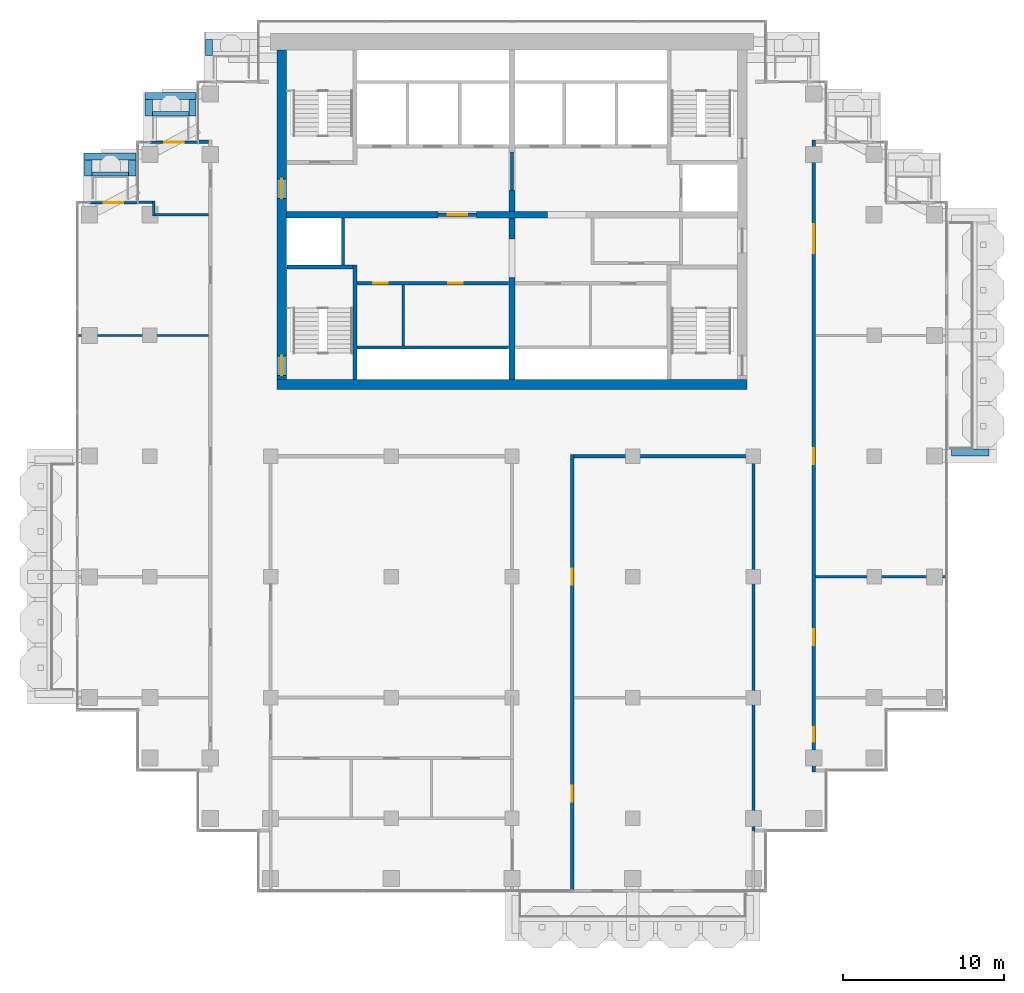
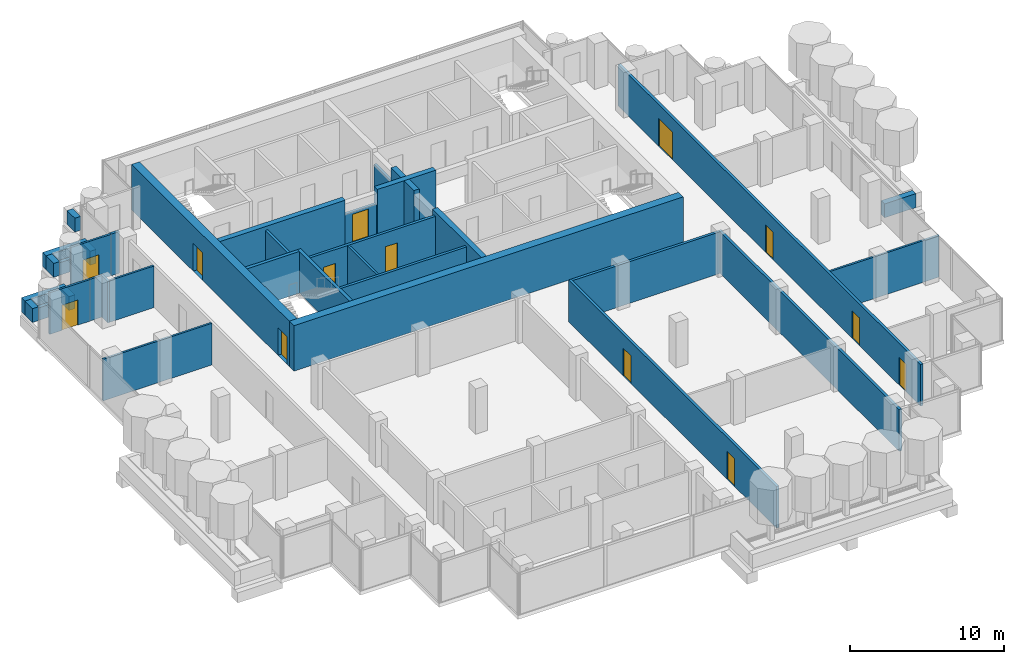
# One storey, part 12 of 18: 37 walls, 13 doors, 13 openings.
"""IFC4 building model written with IfcOpenShell, lengths in metres."""

from ifc_helpers import new_model, si_unit, direction, frame, frame_2d, origin, place, context, subcontext, project, spatial, rectangle, extrude, material, layer, layer_set, type_object, element, fill, save


model = new_model("IFC4")

# Units and contexts
model_context = context("Model", 3, precision=1e-05, world=origin(), true_north=direction((0.0, 1.0)))
body_context = subcontext(model_context, "Body", "Model", "MODEL_VIEW")
ifc_project = project(units=[si_unit("LENGTHUNIT", "METRE"), si_unit("AREAUNIT", "SQUARE_METRE"), si_unit("VOLUMEUNIT", "CUBIC_METRE"), si_unit("PLANEANGLEUNIT", "RADIAN"), si_unit("MASSUNIT", "GRAM", prefix="KILO")], contexts=[model_context])

# Site, building, storey
site_placement = place(None, origin())
site = spatial("IfcSite", under=ifc_project, at=site_placement, CompositionType="ELEMENT")
building_placement = place(site_placement, origin())
building = spatial("IfcBuilding", under=site, at=building_placement, Name="Pilkhan Gate Tower", CompositionType="ELEMENT")
storey_placement = place(building_placement, frame((0.0, 0.0, 210.300048828125)))
storey = spatial("IfcBuildingStorey", under=building, at=storey_placement, Name="L54", CompositionType="ELEMENT", Elevation=210.300048828125)

# Walls
ifc_material_1 = material(Name="Concrete C40/50", Category="concrete")
ifc_layer_1 = layer(ifc_material_1, 0.25)
ifc_layer_set_1 = layer_set([ifc_layer_1], Name="Balcony planter BP250")
wall_type_1 = type_object("IfcWallType", Name="Balcony planter BP250", PredefinedType="USERDEFINED", material=ifc_layer_set_1)
for number, where, z_axis, x_axis, name in (
    (1, (52.64990234375, 88.77490234375, 0.0), (0.0, 0.0, 1.0), (1.0, 0.0, 0.0), "Balcony planter L54 N"),
    (2, (48.89990234375, 85.02490234375, 0.0), (0.0, 0.0, 1.0), (1.0, 0.0, 0.0), "Balcony planter L54 N"),
):
    element("IfcWall", number, at=place(storey_placement, frame(where, z_axis=z_axis, x_axis=x_axis)), inside=storey, type_object=wall_type_1, Name=name, ObjectType="BALCONY PLANTER", PredefinedType="USERDEFINED", context=body_context, shape_type="SweptSolid", body=[
        extrude(rectangle(XDim=2.280029296875, YDim=0.25, at=frame_2d((1.14013671875, 0.0))), origin(), (0.0, 0.0, 1.0), 1.0),
    ])
ifc_material_2 = material(Name="Board-marked Concrete C40/50", Category="concrete")
ifc_layer_2 = layer(ifc_material_2, 0.449951171875)
ifc_layer_set_2 = layer_set([ifc_layer_2], Name="Balcony planter lip BL450")
wall_type_2 = type_object("IfcWallType", Name="Balcony planter lip BL450", PredefinedType="USERDEFINED", material=ifc_layer_set_2)
wall_1_placement = place(storey_placement, frame((102.300048828125, 67.72509765625, 0.0), z_axis=(0.0, 0.0, 1.0), x_axis=(1.0, 0.0, 0.0)))
element("IfcWall", 3, at=wall_1_placement, inside=storey, type_object=wall_type_2, Name="Balcony planter L54 E", ObjectType="BALCONY PLANTER", PredefinedType="USERDEFINED", context=body_context, shape_type="SweptSolid", body=[
    extrude(rectangle(XDim=2.349853515625, YDim=0.449951171875, at=frame_2d((1.1748046875, 0.0))), origin(), (0.0, 0.0, 1.0), 1.099853515625),
])
wall_2_placement = place(storey_placement, frame((56.175048828125, 92.39990234375, 0.0), z_axis=(0.0, 0.0, 1.0), x_axis=(0.0, 1.0, 0.0)))
element("IfcWall", 4, at=wall_2_placement, inside=storey, type_object=wall_type_2, Name="Balcony planter L54 N", ObjectType="BALCONY PLANTER", PredefinedType="USERDEFINED", context=body_context, shape_type="SweptSolid", body=[
    extrude(rectangle(XDim=1.0, YDim=0.449951171875, at=frame_2d((0.5, 0.0))), origin(), (0.0, 0.0, 1.0), 1.099853515625),
])
wall_3_placement = place(storey_placement, frame((52.199951171875, 89.875, 0.0), z_axis=(0.0, 0.0, 1.0), x_axis=(1.0, 0.0, 0.0)))
element("IfcWall", 5, at=wall_3_placement, inside=storey, type_object=wall_type_2, Name="Balcony planter L54 N", ObjectType="BALCONY PLANTER", PredefinedType="USERDEFINED", context=body_context, shape_type="SweptSolid", body=[
    extrude(rectangle(XDim=3.179931640625, YDim=0.449951171875, at=frame_2d((1.58984375, 0.0))), origin(), (0.0, 0.0, 1.0), 1.099853515625),
])
for number, where, z_axis, x_axis, name in (
    (6, (52.425048828125, 88.64990234375, 0.0), (0.0, 0.0, 1.0), (0.0, 1.0, 0.0), "Balcony planter L54 N"),
    (7, (55.155029296875, 88.64990234375, 0.0), (0.0, 0.0, 1.0), (0.0, 1.0, 0.0), "Balcony planter L54 N"),
):
    element("IfcWall", number, at=place(storey_placement, frame(where, z_axis=z_axis, x_axis=x_axis)), inside=storey, type_object=wall_type_2, Name=name, ObjectType="BALCONY PLANTER", PredefinedType="USERDEFINED", context=body_context, shape_type="SweptSolid", body=[
        extrude(rectangle(XDim=1.0, YDim=0.449951171875, at=frame_2d((0.5, 0.0))), origin(), (0.0, 0.0, 1.0), 1.099853515625),
    ])
wall_4_placement = place(storey_placement, frame((48.449951171875, 86.125, 0.0), z_axis=(0.0, 0.0, 1.0), x_axis=(1.0, 0.0, 0.0)))
element("IfcWall", 8, at=wall_4_placement, inside=storey, type_object=wall_type_2, Name="Balcony planter L54 N", ObjectType="BALCONY PLANTER", PredefinedType="USERDEFINED", context=body_context, shape_type="SweptSolid", body=[
    extrude(rectangle(XDim=3.179931640625, YDim=0.449951171875, at=frame_2d((1.58984375, 0.0))), origin(), (0.0, 0.0, 1.0), 1.099853515625),
])
for number, where, z_axis, x_axis, name in (
    (9, (48.675048828125, 84.89990234375, 0.0), (0.0, 0.0, 1.0), (0.0, 1.0, 0.0), "Balcony planter L54 N"),
    (10, (51.405029296875, 84.89990234375, 0.0), (0.0, 0.0, 1.0), (0.0, 1.0, 0.0), "Balcony planter L54 N"),
):
    element("IfcWall", number, at=place(storey_placement, frame(where, z_axis=z_axis, x_axis=x_axis)), inside=storey, type_object=wall_type_2, Name=name, ObjectType="BALCONY PLANTER", PredefinedType="USERDEFINED", context=body_context, shape_type="SweptSolid", body=[
        extrude(rectangle(XDim=1.0, YDim=0.449951171875, at=frame_2d((0.5, 0.0))), origin(), (0.0, 0.0, 1.0), 1.099853515625),
    ])
ifc_material_3 = material(Name="Concrete C50/60", Category="concrete")
ifc_layer_3 = layer(ifc_material_3, 0.60009765625)
ifc_layer_set_3 = layer_set([ifc_layer_3], Name="Core wall CW600 C50/60")
wall_type_3 = type_object("IfcWallType", Name="Core wall CW600 C50/60", PredefinedType="SHEAR", material=ifc_layer_set_3)
wall_5_placement = place(storey_placement, frame((60.39990234375, 71.949951171875, 0.0), z_axis=(0.0, 0.0, 1.0), x_axis=(1.0, 0.0, 0.0)))
element("IfcWall", 11, at=wall_5_placement, inside=storey, type_object=wall_type_3, Name="Core wall S L54", PredefinedType="SHEAR", context=body_context, shape_type="SweptSolid", body=[
    extrude(rectangle(XDim=29.2001953125, YDim=0.60009765625, at=frame_2d((14.60009765625, 0.0))), origin(), (0.0, 0.0, 1.0), 3.599853515625),
])

# Wall, openings, doors
wall_6_placement = place(storey_placement, frame((60.699951171875, 92.75, 0.0), z_axis=(0.0, 0.0, 1.0), x_axis=(0.0, -1.0, 0.0)))
wall_6 = element("IfcWall", 12, at=wall_6_placement, inside=storey, type_object=wall_type_3, Name="Core wall W L54", PredefinedType="SHEAR", context=body_context, shape_type="SweptSolid", body=[
    extrude(rectangle(XDim=20.5, YDim=0.60009765625, at=frame_2d((10.25, 0.0))), origin(), (0.0, 0.0, 1.0), 3.599853515625),
])
opening_1_placement = place(wall_6_placement, frame((19.02490234375, 0.0, 0.0)))
opening_1 = element("IfcOpeningElement", 13, at=opening_1_placement, cuts=wall_6, Name="Opening L54-04", PredefinedType="OPENING", context=body_context, shape_type="SweptSolid", body=[
    extrude(rectangle(XDim=1.199951171875, YDim=2.199951171875, at=frame_2d((0.60009765625, 1.10009765625))), frame((0.0, 0.31005859375, 0.0), z_axis=(0.0, -1.0, 0.0), x_axis=(1.0, 0.0, 0.0)), (0.0, 0.0, 1.0), 0.6201171875),
])
opening_2_placement = place(wall_6_placement, frame((8.02490234375, 0.0, 0.0)))
opening_2 = element("IfcOpeningElement", 14, at=opening_2_placement, cuts=wall_6, Name="Opening L54-08", PredefinedType="OPENING", context=body_context, shape_type="SweptSolid", body=[
    extrude(rectangle(XDim=1.199951171875, YDim=2.199951171875, at=frame_2d((0.60009765625, 1.10009765625))), frame((0.0, 0.31005859375, 0.0), z_axis=(0.0, -1.0, 0.0), x_axis=(1.0, 0.0, 0.0)), (0.0, 0.0, 1.0), 0.6201171875),
])
ifc_material_4 = material(Name="Steel door, 120 minute fire resisting, self-closing", Category="steel")
door_type_1 = type_object("IfcDoorType", Name="Firefighting lobby door D10 1200x2200", OperationType="SINGLE_SWING_LEFT", PredefinedType="DOOR", material=ifc_material_4)
door_1_placement = place(opening_2_placement, origin())
door_1 = element("IfcDoor", 15, at=door_1_placement, inside=storey, type_object=door_type_1, Name="Core door", OperationType="SINGLE_SWING_LEFT", OverallHeight=2.199951171875, OverallWidth=1.199951171875, PredefinedType="DOOR", context=body_context, shape_type="SweptSolid", body=[
    extrude(rectangle(XDim=1.199951171875, YDim=2.199951171875, at=frame_2d((0.60009765625, 1.10009765625))), frame((0.0, 0.02490234375, 0.0), z_axis=(0.0, -1.0, 0.0), x_axis=(1.0, 0.0, 0.0)), (0.0, 0.0, 1.0), 0.050048828125),
])
fill(opening_2, door_1)
ifc_material_5 = material(Name="Steel door, 120 minute fire resisting, panic bar", Category="steel")
door_type_2 = type_object("IfcDoorType", Name="Stair door D11 1200x2200", OperationType="SINGLE_SWING_LEFT", PredefinedType="DOOR", material=ifc_material_5)
door_2_placement = place(opening_1_placement, origin())
door_2 = element("IfcDoor", 16, at=door_2_placement, inside=storey, type_object=door_type_2, Name="Stair ST2 door", OperationType="SINGLE_SWING_LEFT", OverallHeight=2.199951171875, OverallWidth=1.199951171875, PredefinedType="DOOR", context=body_context, shape_type="SweptSolid", body=[
    extrude(rectangle(XDim=1.199951171875, YDim=2.199951171875, at=frame_2d((0.60009765625, 1.10009765625))), frame((0.0, 0.02490234375, 0.0), z_axis=(0.0, -1.0, 0.0), x_axis=(1.0, 0.0, 0.0)), (0.0, 0.0, 1.0), 0.050048828125),
])
fill(opening_1, door_2)

# Walls
ifc_material_6 = material(Name="Dense blockwork", Category="masonry")
ifc_layer_4 = layer(ifc_material_6, 0.199951171875)
ifc_layer_set_4 = layer_set([ifc_layer_4], Name="Corridor wall FW200")
wall_type_4 = type_object("IfcWallType", Name="Corridor wall FW200", PredefinedType="PARTITIONING", material=ifc_layer_set_4)
wall_7_placement = place(storey_placement, frame((78.85009765625, 67.5, 0.0), z_axis=(0.0, 0.0, 1.0), x_axis=(1.0, 0.0, 0.0)))
element("IfcWall", 17, at=wall_7_placement, inside=storey, type_object=wall_type_4, Name="Partition L54", PredefinedType="PARTITIONING", context=body_context, shape_type="SweptSolid", body=[
    extrude(rectangle(XDim=11.0498046875, YDim=0.199951171875, at=frame_2d((5.52490234375, 0.0))), origin(), (0.0, 0.0, 1.0), 3.300048828125),
])
wall_8_placement = place(storey_placement, frame((55.510009765625, 87.030029296875, 0.0), z_axis=(0.0, 0.0, 1.0), x_axis=(1.0, 0.0, 0.0)))
element("IfcWall", 18, at=wall_8_placement, inside=storey, type_object=wall_type_4, Name="Partition L54", PredefinedType="PARTITIONING", context=body_context, shape_type="SweptSolid", body=[
    extrude(rectangle(XDim=0.639892578125, YDim=0.199951171875, at=frame_2d((0.31982421875, 0.0))), origin(), (0.0, 0.0, 1.0), 3.300048828125),
])

# Wall, openings, doors
wall_9_placement = place(storey_placement, frame((78.75, 40.5849609375, 0.0), z_axis=(0.0, 0.0, 1.0), x_axis=(0.0, 1.0, 0.0)))
wall_9 = element("IfcWall", 19, at=wall_9_placement, inside=storey, type_object=wall_type_4, Name="Partition L54", PredefinedType="PARTITIONING", context=body_context, shape_type="SweptSolid", body=[
    extrude(rectangle(XDim=27.01513671875, YDim=0.199951171875, at=frame_2d((13.507568359375, 0.0))), origin(), (0.0, 0.0, 1.0), 3.300048828125),
])
opening_3_placement = place(wall_9_placement, frame((5.449951171875, 0.0, 0.0)))
opening_3 = element("IfcOpeningElement", 20, at=opening_3_placement, cuts=wall_9, Name="Opening L54-19", PredefinedType="OPENING", context=body_context, shape_type="SweptSolid", body=[
    extrude(rectangle(XDim=1.0, YDim=2.199951171875, at=frame_2d((0.5, 1.10009765625))), frame((0.0, 0.10986328125, 0.0), z_axis=(0.0, -1.0, 0.0), x_axis=(1.0, 0.0, 0.0)), (0.0, 0.0, 1.0), 0.219970703125),
])
opening_4_placement = place(wall_9_placement, frame((18.9150390625, 0.0, 0.0)))
opening_4 = element("IfcOpeningElement", 21, at=opening_4_placement, cuts=wall_9, Name="Opening L54-20", PredefinedType="OPENING", context=body_context, shape_type="SweptSolid", body=[
    extrude(rectangle(XDim=1.0, YDim=2.199951171875, at=frame_2d((0.5, 1.10009765625))), frame((0.0, 0.10986328125, 0.0), z_axis=(0.0, -1.0, 0.0), x_axis=(1.0, 0.0, 0.0)), (0.0, 0.0, 1.0), 0.219970703125),
])
ifc_material_7 = material(Name="Timber flush door, 30 minute fire resisting", Category="wood")
door_type_3 = type_object("IfcDoorType", Name="Room door D03 1000x2200", OperationType="SINGLE_SWING_LEFT", PredefinedType="DOOR", material=ifc_material_7)
door_3_placement = place(opening_3_placement, origin())
door_3 = element("IfcDoor", 22, at=door_3_placement, inside=storey, type_object=door_type_3, Name="Room door", OperationType="SINGLE_SWING_RIGHT", OverallHeight=2.199951171875, OverallWidth=1.0, PredefinedType="DOOR", context=body_context, shape_type="SweptSolid", body=[
    extrude(rectangle(XDim=1.0, YDim=2.199951171875, at=frame_2d((0.5, 1.10009765625))), frame((0.0, 0.02490234375, 0.0), z_axis=(0.0, -1.0, 0.0), x_axis=(1.0, 0.0, 0.0)), (0.0, 0.0, 1.0), 0.050048828125),
])
fill(opening_3, door_3)
door_4_placement = place(opening_4_placement, origin())
door_4 = element("IfcDoor", 23, at=door_4_placement, inside=storey, type_object=door_type_3, Name="Room door", OperationType="SINGLE_SWING_LEFT", OverallHeight=2.199951171875, OverallWidth=1.0, PredefinedType="DOOR", context=body_context, shape_type="SweptSolid", body=[
    extrude(rectangle(XDim=1.0, YDim=2.199951171875, at=frame_2d((0.5, 1.10009765625))), frame((0.0, 0.02490234375, 0.0), z_axis=(0.0, -1.0, 0.0), x_axis=(1.0, 0.0, 0.0)), (0.0, 0.0, 1.0), 0.050048828125),
])
fill(opening_4, door_4)

# Wall
wall_10_placement = place(storey_placement, frame((90.0, 44.135009765625, 0.0), z_axis=(0.0, 0.0, 1.0), x_axis=(0.0, 1.0, 0.0)))
element("IfcWall", 24, at=wall_10_placement, inside=storey, type_object=wall_type_4, Name="Partition L54", PredefinedType="PARTITIONING", context=body_context, shape_type="SweptSolid", body=[
    extrude(rectangle(XDim=23.465087890625, YDim=0.199951171875, at=frame_2d((11.732421875, 0.0))), origin(), (0.0, 0.0, 1.0), 3.300048828125),
])

# Wall, openings, doors
wall_11_placement = place(storey_placement, frame((93.75, 47.8701171875, 0.0), z_axis=(0.0, 0.0, 1.0), x_axis=(0.0, 1.0, 0.0)))
wall_11 = element("IfcWall", 25, at=wall_11_placement, inside=storey, type_object=wall_type_4, Name="Partition L54", PredefinedType="PARTITIONING", context=body_context, shape_type="SweptSolid", body=[
    extrude(rectangle(XDim=39.259765625, YDim=0.199951171875, at=frame_2d((19.6298828125, 0.0))), origin(), (0.0, 0.0, 1.0), 3.300048828125),
])
opening_5_placement = place(wall_11_placement, frame((1.89990234375, 0.0, 0.0)))
opening_5 = element("IfcOpeningElement", 26, at=opening_5_placement, cuts=wall_11, Name="Opening L54-24", PredefinedType="OPENING", context=body_context, shape_type="SweptSolid", body=[
    extrude(rectangle(XDim=0.89990234375, YDim=2.199951171875, at=frame_2d((0.449951171875, 1.10009765625))), frame((0.0, 0.10986328125, 0.0), z_axis=(0.0, -1.0, 0.0), x_axis=(1.0, 0.0, 0.0)), (0.0, 0.0, 1.0), 0.219970703125),
])
opening_6_placement = place(wall_11_placement, frame((7.8798828125, 0.0, 0.0)))
opening_6 = element("IfcOpeningElement", 27, at=opening_6_placement, cuts=wall_11, Name="Opening L54-25", PredefinedType="OPENING", context=body_context, shape_type="SweptSolid", body=[
    extrude(rectangle(XDim=1.0, YDim=2.199951171875, at=frame_2d((0.5, 1.10009765625))), frame((0.0, 0.10986328125, 0.0), z_axis=(0.0, -1.0, 0.0), x_axis=(1.0, 0.0, 0.0)), (0.0, 0.0, 1.0), 0.219970703125),
])
opening_7_placement = place(wall_11_placement, frame((19.1298828125, 0.0, 0.0)))
opening_7 = element("IfcOpeningElement", 28, at=opening_7_placement, cuts=wall_11, Name="Opening L54-26", PredefinedType="OPENING", context=body_context, shape_type="SweptSolid", body=[
    extrude(rectangle(XDim=1.0, YDim=2.199951171875, at=frame_2d((0.5, 1.10009765625))), frame((0.0, 0.10986328125, 0.0), z_axis=(0.0, -1.0, 0.0), x_axis=(1.0, 0.0, 0.0)), (0.0, 0.0, 1.0), 0.219970703125),
])
opening_8_placement = place(wall_11_placement, frame((32.22998046875, 0.0, 0.0)))
opening_8 = element("IfcOpeningElement", 29, at=opening_8_placement, cuts=wall_11, Name="Opening L54-29", PredefinedType="OPENING", context=body_context, shape_type="SweptSolid", body=[
    extrude(rectangle(XDim=1.800048828125, YDim=2.199951171875, at=frame_2d((0.89990234375, 1.10009765625))), frame((0.0, 0.10986328125, 0.0), z_axis=(0.0, -1.0, 0.0), x_axis=(1.0, 0.0, 0.0)), (0.0, 0.0, 1.0), 0.219970703125),
])
ifc_material_8 = material(Name="Timber glazed double door, 30 minute fire resisting", Category="wood")
door_type_4 = type_object("IfcDoorType", Name="Double door D04 1800x2200", OperationType="DOUBLE_DOOR_SINGLE_SWING", PredefinedType="DOOR", material=ifc_material_8)
door_5_placement = place(opening_8_placement, origin())
door_5 = element("IfcDoor", 30, at=door_5_placement, inside=storey, type_object=door_type_4, Name="Double door", OperationType="DOUBLE_DOOR_SINGLE_SWING", OverallHeight=2.199951171875, OverallWidth=1.800048828125, PredefinedType="DOOR", context=body_context, shape_type="SweptSolid", body=[
    extrude(rectangle(XDim=1.800048828125, YDim=2.199951171875, at=frame_2d((0.89990234375, 1.10009765625))), frame((0.0, 0.02490234375, 0.0), z_axis=(0.0, -1.0, 0.0), x_axis=(1.0, 0.0, 0.0)), (0.0, 0.0, 1.0), 0.050048828125),
])
fill(opening_8, door_5)
door_6_placement = place(opening_6_placement, origin())
door_6 = element("IfcDoor", 31, at=door_6_placement, inside=storey, type_object=door_type_3, Name="Room door", OperationType="SINGLE_SWING_LEFT", OverallHeight=2.199951171875, OverallWidth=1.0, PredefinedType="DOOR", context=body_context, shape_type="SweptSolid", body=[
    extrude(rectangle(XDim=1.0, YDim=2.199951171875, at=frame_2d((0.5, 1.10009765625))), frame((0.0, 0.02490234375, 0.0), z_axis=(0.0, -1.0, 0.0), x_axis=(1.0, 0.0, 0.0)), (0.0, 0.0, 1.0), 0.050048828125),
])
fill(opening_6, door_6)
door_7_placement = place(opening_7_placement, origin())
door_7 = element("IfcDoor", 32, at=door_7_placement, inside=storey, type_object=door_type_3, Name="Room door", OperationType="SINGLE_SWING_LEFT", OverallHeight=2.199951171875, OverallWidth=1.0, PredefinedType="DOOR", context=body_context, shape_type="SweptSolid", body=[
    extrude(rectangle(XDim=1.0, YDim=2.199951171875, at=frame_2d((0.5, 1.10009765625))), frame((0.0, 0.02490234375, 0.0), z_axis=(0.0, -1.0, 0.0), x_axis=(1.0, 0.0, 0.0)), (0.0, 0.0, 1.0), 0.050048828125),
])
fill(opening_7, door_7)
ifc_material_9 = material(Name="Timber flush door, 60 minute fire resisting, self-closing", Category="wood")
door_type_5 = type_object("IfcDoorType", Name="Store door D05 900x2200", OperationType="SINGLE_SWING_LEFT", PredefinedType="DOOR", material=ifc_material_9)
door_8_placement = place(opening_5_placement, origin())
door_8 = element("IfcDoor", 33, at=door_8_placement, inside=storey, type_object=door_type_5, Name="Store door", OperationType="SINGLE_SWING_RIGHT", OverallHeight=2.199951171875, OverallWidth=0.89990234375, PredefinedType="DOOR", context=body_context, shape_type="SweptSolid", body=[
    extrude(rectangle(XDim=0.89990234375, YDim=2.199951171875, at=frame_2d((0.449951171875, 1.10009765625))), frame((0.0, 0.02490234375, 0.0), z_axis=(0.0, -1.0, 0.0), x_axis=(1.0, 0.0, 0.0)), (0.0, 0.0, 1.0), 0.050048828125),
])
fill(opening_5, door_8)

# Wall, opening, door
ifc_material_10 = material(Name="Pale anodised aluminium, clear laminated glazing", Category="aluminium")
ifc_layer_5 = layer(ifc_material_10, 0.14990234375)
ifc_layer_set_5 = layer_set([ifc_layer_5], Name="Facade infill wall IW150")
wall_type_5 = type_object("IfcWallType", Name="Facade infill wall IW150", PredefinedType="SOLIDWALL", material=ifc_layer_set_5)
wall_12_placement = place(storey_placement, frame((52.5, 87.0, 0.0), z_axis=(0.0, 0.0, 1.0), x_axis=(1.0, 0.0, 0.0)))
wall_12 = element("IfcWall", 34, at=wall_12_placement, inside=storey, type_object=wall_type_5, Name="Infill wall L54 N", PredefinedType="SOLIDWALL", context=body_context, shape_type="SweptSolid", body=[
    extrude(rectangle(XDim=3.0, YDim=0.14990234375, at=frame_2d((1.5, 0.0))), origin(), (0.0, 0.0, 1.0), 3.300048828125),
])
opening_9_placement = place(wall_12_placement, frame((0.89990234375, 0.0, 0.0)))
opening_9 = element("IfcOpeningElement", 35, at=opening_9_placement, cuts=wall_12, Name="Opening D1L", PredefinedType="OPENING", context=body_context, shape_type="SweptSolid", body=[
    extrude(rectangle(XDim=1.199951171875, YDim=2.0, at=frame_2d((0.60009765625, 1.0))), frame((0.0, 0.0849609375, 0.0), z_axis=(0.0, -1.0, 0.0), x_axis=(1.0, 0.0, 0.0)), (0.0, 0.0, 1.0), 0.169921875),
])
ifc_material_11 = material(Name="Pale anodised aluminium, clear glazing", Category="aluminium")
door_type_6 = type_object("IfcDoorType", Name="Balcony door D1L 1200x2000", OperationType="SINGLE_SWING_LEFT", PredefinedType="DOOR", material=ifc_material_11)
door_9_placement = place(opening_9_placement, origin())
door_9 = element("IfcDoor", 36, at=door_9_placement, inside=storey, type_object=door_type_6, Name="Balcony door L54", OperationType="SINGLE_SWING_LEFT", OverallHeight=2.0, OverallWidth=1.199951171875, PredefinedType="DOOR", context=body_context, shape_type="SweptSolid", body=[
    extrude(rectangle(XDim=1.199951171875, YDim=2.0, at=frame_2d((0.60009765625, 1.0))), frame((0.0, 0.02490234375, 0.0), z_axis=(0.0, -1.0, 0.0), x_axis=(1.0, 0.0, 0.0)), (0.0, 0.0, 1.0), 0.050048828125),
])
fill(opening_9, door_9)

wall_13_placement = place(storey_placement, frame((48.75, 83.25, 0.0), z_axis=(0.0, 0.0, 1.0), x_axis=(1.0, 0.0, 0.0)))
wall_13 = element("IfcWall", 37, at=wall_13_placement, inside=storey, type_object=wall_type_5, Name="Infill wall L54 N", PredefinedType="SOLIDWALL", context=body_context, shape_type="SweptSolid", body=[
    extrude(rectangle(XDim=3.0, YDim=0.14990234375, at=frame_2d((1.5, 0.0))), origin(), (0.0, 0.0, 1.0), 3.300048828125),
])
opening_10_placement = place(wall_13_placement, frame((0.89990234375, 0.0, 0.0)))
opening_10 = element("IfcOpeningElement", 38, at=opening_10_placement, cuts=wall_13, Name="Opening D1L", PredefinedType="OPENING", context=body_context, shape_type="SweptSolid", body=[
    extrude(rectangle(XDim=1.199951171875, YDim=2.0, at=frame_2d((0.60009765625, 1.0))), frame((0.0, 0.0849609375, 0.0), z_axis=(0.0, -1.0, 0.0), x_axis=(1.0, 0.0, 0.0)), (0.0, 0.0, 1.0), 0.169921875),
])
door_10_placement = place(opening_10_placement, origin())
door_10 = element("IfcDoor", 39, at=door_10_placement, inside=storey, type_object=door_type_6, Name="Balcony door L54", OperationType="SINGLE_SWING_LEFT", OverallHeight=2.0, OverallWidth=1.199951171875, PredefinedType="DOOR", context=body_context, shape_type="SweptSolid", body=[
    extrude(rectangle(XDim=1.199951171875, YDim=2.0, at=frame_2d((0.60009765625, 1.0))), frame((0.0, 0.02490234375, 0.0), z_axis=(0.0, -1.0, 0.0), x_axis=(1.0, 0.0, 0.0)), (0.0, 0.0, 1.0), 0.050048828125),
])
fill(opening_10, door_10)

# Wall
ifc_layer_6 = layer(ifc_material_6, 0.199951171875)
ifc_layer_set_6 = layer_set([ifc_layer_6], Name="Lobby wall LW200")
wall_type_6 = type_object("IfcWallType", Name="Lobby wall LW200", PredefinedType="PARTITIONING", material=ifc_layer_set_6)
wall_14_placement = place(storey_placement, frame((65.375, 74.25, 0.0), z_axis=(0.0, 0.0, 1.0), x_axis=(1.0, 0.0, 0.0)))
element("IfcWall", 40, at=wall_14_placement, inside=storey, type_object=wall_type_6, Name="Partition L54", PredefinedType="PARTITIONING", context=body_context, shape_type="SweptSolid", body=[
    extrude(rectangle(XDim=9.4150390625, YDim=0.199951171875, at=frame_2d((4.70751953125, 0.0))), origin(), (0.0, 0.0, 1.0), 3.300048828125),
])

# Wall, openings, doors
wall_15_placement = place(storey_placement, frame((65.375, 78.25, 0.0), z_axis=(0.0, 0.0, 1.0), x_axis=(1.0, 0.0, 0.0)))
wall_15 = element("IfcWall", 41, at=wall_15_placement, inside=storey, type_object=wall_type_6, Name="Partition L54", PredefinedType="PARTITIONING", context=body_context, shape_type="SweptSolid", body=[
    extrude(rectangle(XDim=9.4150390625, YDim=0.199951171875, at=frame_2d((4.70751953125, 0.0))), origin(), (0.0, 0.0, 1.0), 3.300048828125),
])
opening_11_placement = place(wall_15_placement, frame((1.0, 0.0, 0.0)))
opening_11 = element("IfcOpeningElement", 42, at=opening_11_placement, cuts=wall_15, Name="Opening L54-09", PredefinedType="OPENING", context=body_context, shape_type="SweptSolid", body=[
    extrude(rectangle(XDim=0.89990234375, YDim=2.199951171875, at=frame_2d((0.449951171875, 1.10009765625))), frame((0.0, 0.10986328125, 0.0), z_axis=(0.0, -1.0, 0.0), x_axis=(1.0, 0.0, 0.0)), (0.0, 0.0, 1.0), 0.219970703125),
])
opening_12_placement = place(wall_15_placement, frame((5.6650390625, 0.0, 0.0)))
opening_12 = element("IfcOpeningElement", 43, at=opening_12_placement, cuts=wall_15, Name="Opening L54-10", PredefinedType="OPENING", context=body_context, shape_type="SweptSolid", body=[
    extrude(rectangle(XDim=0.89990234375, YDim=2.199951171875, at=frame_2d((0.449951171875, 1.10009765625))), frame((0.0, 0.10986328125, 0.0), z_axis=(0.0, -1.0, 0.0), x_axis=(1.0, 0.0, 0.0)), (0.0, 0.0, 1.0), 0.219970703125),
])
door_11_placement = place(opening_11_placement, origin())
door_11 = element("IfcDoor", 44, at=door_11_placement, inside=storey, type_object=door_type_5, Name="Store door", OperationType="SINGLE_SWING_LEFT", OverallHeight=2.199951171875, OverallWidth=0.89990234375, PredefinedType="DOOR", context=body_context, shape_type="SweptSolid", body=[
    extrude(rectangle(XDim=0.89990234375, YDim=2.199951171875, at=frame_2d((0.449951171875, 1.10009765625))), frame((0.0, 0.02490234375, 0.0), z_axis=(0.0, -1.0, 0.0), x_axis=(1.0, 0.0, 0.0)), (0.0, 0.0, 1.0), 0.050048828125),
])
fill(opening_11, door_11)
door_12_placement = place(opening_12_placement, origin())
door_12 = element("IfcDoor", 45, at=door_12_placement, inside=storey, type_object=door_type_5, Name="Store door", OperationType="SINGLE_SWING_RIGHT", OverallHeight=2.199951171875, OverallWidth=0.89990234375, PredefinedType="DOOR", context=body_context, shape_type="SweptSolid", body=[
    extrude(rectangle(XDim=0.89990234375, YDim=2.199951171875, at=frame_2d((0.449951171875, 1.10009765625))), frame((0.0, 0.02490234375, 0.0), z_axis=(0.0, -1.0, 0.0), x_axis=(1.0, 0.0, 0.0)), (0.0, 0.0, 1.0), 0.050048828125),
])
fill(opening_12, door_12)

# Wall, opening, door
wall_16_placement = place(storey_placement, frame((70.409912109375, 82.5, 0.0), z_axis=(0.0, 0.0, 1.0), x_axis=(1.0, 0.0, 0.0)))
wall_16 = element("IfcWall", 46, at=wall_16_placement, inside=storey, type_object=wall_type_6, Name="Partition L54", PredefinedType="PARTITIONING", context=body_context, shape_type="SweptSolid", body=[
    extrude(rectangle(XDim=2.380126953125, YDim=0.199951171875, at=frame_2d((1.18994140625, 0.0))), origin(), (0.0, 0.0, 1.0), 2.39990234375),
])
opening_13_placement = place(wall_16_placement, frame((0.60009765625, 0.0, 0.0)))
opening_13 = element("IfcOpeningElement", 47, at=opening_13_placement, cuts=wall_16, Name="Opening L54-01", PredefinedType="OPENING", context=body_context, shape_type="SweptSolid", body=[
    extrude(rectangle(XDim=1.199951171875, YDim=2.199951171875, at=frame_2d((0.60009765625, 1.10009765625))), frame((0.0, 0.10986328125, 0.0), z_axis=(0.0, -1.0, 0.0), x_axis=(1.0, 0.0, 0.0)), (0.0, 0.0, 1.0), 0.219970703125),
])
door_13_placement = place(opening_13_placement, origin())
door_13 = element("IfcDoor", 48, at=door_13_placement, inside=storey, type_object=door_type_1, Name="Firefighting lobby door", OperationType="SINGLE_SWING_LEFT", OverallHeight=2.199951171875, OverallWidth=1.199951171875, PredefinedType="DOOR", context=body_context, shape_type="SweptSolid", body=[
    extrude(rectangle(XDim=1.199951171875, YDim=2.199951171875, at=frame_2d((0.60009765625, 1.10009765625))), frame((0.0, 0.02490234375, 0.0), z_axis=(0.0, -1.0, 0.0), x_axis=(1.0, 0.0, 0.0)), (0.0, 0.0, 1.0), 0.050048828125),
])
fill(opening_13, door_13)

# Walls
wall_17_placement = place(storey_placement, frame((75.0, 84.010009765625, 0.0), z_axis=(0.0, 0.0, 1.0), x_axis=(0.0, 1.0, 0.0)))
element("IfcWall", 49, at=wall_17_placement, inside=storey, type_object=wall_type_6, Name="Partition L54", PredefinedType="PARTITIONING", context=body_context, shape_type="SweptSolid", body=[
    extrude(rectangle(XDim=2.3798828125, YDim=0.199951171875, at=frame_2d((1.18994140625, 0.0))), origin(), (0.0, 0.0, 1.0), 2.39990234375),
])
ifc_material_12 = material(Name="Blockwork partition, plastered both sides", Category="masonry")
ifc_layer_7 = layer(ifc_material_12, 0.14990234375)
ifc_layer_set_7 = layer_set([ifc_layer_7], Name="Partition PW150")
wall_type_7 = type_object("IfcWallType", Name="Partition PW150", PredefinedType="PARTITIONING", material=ifc_layer_set_7)
for number, where, z_axis, x_axis, name in (
    (50, (93.85009765625, 60.0, 0.0), (0.0, 0.0, 1.0), (1.0, 0.0, 0.0), "Partition L54"),
    (51, (47.985107421875, 75.0, 0.0), (0.0, 0.0, 1.0), (1.0, 0.0, 0.0), "Partition L54"),
):
    element("IfcWall", number, at=place(storey_placement, frame(where, z_axis=z_axis, x_axis=x_axis)), inside=storey, type_object=wall_type_7, Name=name, PredefinedType="PARTITIONING", context=body_context, shape_type="SweptSolid", body=[
        extrude(rectangle(XDim=8.164794921875, YDim=0.14990234375, at=frame_2d((4.08251953125, 0.0))), origin(), (0.0, 0.0, 1.0), 3.300048828125),
    ])
wall_18_placement = place(storey_placement, frame((52.81005859375, 82.5, 0.0), z_axis=(0.0, 0.0, 1.0), x_axis=(1.0, 0.0, 0.0)))
element("IfcWall", 52, at=wall_18_placement, inside=storey, type_object=wall_type_7, Name="Partition L54", PredefinedType="PARTITIONING", context=body_context, shape_type="SweptSolid", body=[
    extrude(rectangle(XDim=3.33984375, YDim=0.14990234375, at=frame_2d((1.669921875, 0.0))), origin(), (0.0, 0.0, 1.0), 3.300048828125),
])
wall_19_placement = place(storey_placement, frame((51.760009765625, 83.264892578125, 0.0), z_axis=(0.0, 0.0, 1.0), x_axis=(1.0, 0.0, 0.0)))
element("IfcWall", 53, at=wall_19_placement, inside=storey, type_object=wall_type_7, Name="Partition L54", PredefinedType="PARTITIONING", context=body_context, shape_type="SweptSolid", body=[
    extrude(rectangle(XDim=0.89990234375, YDim=0.14990234375, at=frame_2d((0.449951171875, 0.0))), origin(), (0.0, 0.0, 1.0), 3.300048828125),
])
wall_20_placement = place(storey_placement, frame((52.735107421875, 82.425048828125, 0.0), z_axis=(0.0, 0.0, 1.0), x_axis=(0.0, 1.0, 0.0)))
element("IfcWall", 54, at=wall_20_placement, inside=storey, type_object=wall_type_7, Name="Partition L54", PredefinedType="PARTITIONING", context=body_context, shape_type="SweptSolid", body=[
    extrude(rectangle(XDim=0.9150390625, YDim=0.14990234375, at=frame_2d((0.45751953125, 0.0))), origin(), (0.0, 0.0, 1.0), 3.300048828125),
])
wall_21_placement = place(storey_placement, frame((68.239990234375, 74.35009765625, 0.0), z_axis=(0.0, 0.0, 1.0), x_axis=(0.0, 1.0, 0.0)))
element("IfcWall", 55, at=wall_21_placement, inside=storey, type_object=wall_type_7, Name="Partition L54", PredefinedType="PARTITIONING", context=body_context, shape_type="SweptSolid", body=[
    extrude(rectangle(XDim=3.7998046875, YDim=0.14990234375, at=frame_2d((1.89990234375, 0.0))), origin(), (0.0, 0.0, 1.0), 3.300048828125),
])
ifc_material_13 = material(Name="Reinforced blockwork shaft wall, 120 minute fire resisting", Category="masonry")
ifc_layer_8 = layer(ifc_material_13, 0.199951171875)
ifc_layer_set_8 = layer_set([ifc_layer_8], Name="Shaft wall SW200")
wall_type_8 = type_object("IfcWallType", Name="Shaft wall SW200", PredefinedType="PARTITIONING", material=ifc_layer_set_8)
wall_22_placement = place(storey_placement, frame((64.5, 79.375, 0.0), z_axis=(0.0, 0.0, 1.0), x_axis=(0.0, 1.0, 0.0)))
element("IfcWall", 56, at=wall_22_placement, inside=storey, type_object=wall_type_8, Name="Partition L54", PredefinedType="PARTITIONING", context=body_context, shape_type="SweptSolid", body=[
    extrude(rectangle(XDim=2.9150390625, YDim=0.199951171875, at=frame_2d((1.45751953125, 0.0))), origin(), (0.0, 0.0, 1.0), 3.300048828125),
])
ifc_layer_9 = layer(ifc_material_3, 0.39990234375)
ifc_layer_set_9 = layer_set([ifc_layer_9], Name="Spine wall SW400 C50/60")
wall_type_9 = type_object("IfcWallType", Name="Spine wall SW400 C50/60", PredefinedType="SHEAR", material=ifc_layer_set_9)
wall_23_placement = place(storey_placement, frame((61.0, 82.5, 0.0), z_axis=(0.0, 0.0, 1.0), x_axis=(1.0, 0.0, 0.0)))
element("IfcWall", 57, at=wall_23_placement, inside=storey, type_object=wall_type_9, Name="Spine wall SP-EW1 L54", PredefinedType="SHEAR", context=body_context, shape_type="SweptSolid", body=[
    extrude(rectangle(XDim=9.39990234375, YDim=0.39990234375, at=frame_2d((4.699951171875, 0.0))), origin(), (0.0, 0.0, 1.0), 3.599853515625),
])
wall_24_placement = place(storey_placement, frame((72.800048828125, 82.5, 0.0), z_axis=(0.0, 0.0, 1.0), x_axis=(1.0, 0.0, 0.0)))
element("IfcWall", 58, at=wall_24_placement, inside=storey, type_object=wall_type_9, Name="Spine wall SP-EW2 L54", PredefinedType="SHEAR", context=body_context, shape_type="SweptSolid", body=[
    extrude(rectangle(XDim=4.39990234375, YDim=0.39990234375, at=frame_2d((2.199951171875, 0.0))), origin(), (0.0, 0.0, 1.0), 3.599853515625),
])
wall_25_placement = place(storey_placement, frame((75.0, 72.25, 0.0), z_axis=(0.0, 0.0, 1.0), x_axis=(0.0, 1.0, 0.0)))
element("IfcWall", 59, at=wall_25_placement, inside=storey, type_object=wall_type_9, Name="Spine wall SP-NS-S1 L54", PredefinedType="SHEAR", context=body_context, shape_type="SweptSolid", body=[
    extrude(rectangle(XDim=6.35009765625, YDim=0.39990234375, at=frame_2d((3.175048828125, 0.0))), origin(), (0.0, 0.0, 1.0), 3.599853515625),
])
for number, where, z_axis, x_axis, name in (
    (60, (75.0, 81.0, 0.0), (0.0, 0.0, 1.0), (0.0, 1.0, 0.0), "Spine wall SP-NS-S2 L54"),
    (61, (75.0, 82.699951171875, 0.0), (0.0, 0.0, 1.0), (0.0, 1.0, 0.0), "Spine wall SP-NS-N1 L54"),
):
    element("IfcWall", number, at=place(storey_placement, frame(where, z_axis=z_axis, x_axis=x_axis)), inside=storey, type_object=wall_type_9, Name=name, PredefinedType="SHEAR", context=body_context, shape_type="SweptSolid", body=[
        extrude(rectangle(XDim=1.300048828125, YDim=0.39990234375, at=frame_2d((0.64990234375, 0.0))), origin(), (0.0, 0.0, 1.0), 3.599853515625),
    ])
ifc_material_14 = material(Name="Reinforced blockwork, 120 minute fire resisting", Category="masonry")
ifc_layer_10 = layer(ifc_material_14, 0.25)
ifc_layer_set_10 = layer_set([ifc_layer_10], Name="Stair enclosure wall SE250")
wall_type_10 = type_object("IfcWallType", Name="Stair enclosure wall SE250", PredefinedType="PARTITIONING", material=ifc_layer_set_10)
wall_26_placement = place(storey_placement, frame((61.010009765625, 79.25, 0.0), z_axis=(0.0, 0.0, 1.0), x_axis=(1.0, 0.0, 0.0)))
element("IfcWall", 62, at=wall_26_placement, inside=storey, type_object=wall_type_10, Name="Partition L54", PredefinedType="PARTITIONING", context=body_context, shape_type="SweptSolid", body=[
    extrude(rectangle(XDim=4.114990234375, YDim=0.25, at=frame_2d((2.0576171875, 0.0))), origin(), (0.0, 0.0, 1.0), 3.300048828125),
])
wall_27_placement = place(storey_placement, frame((65.25, 72.260009765625, 0.0), z_axis=(0.0, 0.0, 1.0), x_axis=(0.0, 1.0, 0.0)))
element("IfcWall", 63, at=wall_27_placement, inside=storey, type_object=wall_type_10, Name="Partition L54", PredefinedType="PARTITIONING", context=body_context, shape_type="SweptSolid", body=[
    extrude(rectangle(XDim=7.114990234375, YDim=0.25, at=frame_2d((3.5576171875, 0.0))), origin(), (0.0, 0.0, 1.0), 3.300048828125),
])

save(model, "model.ifc")
